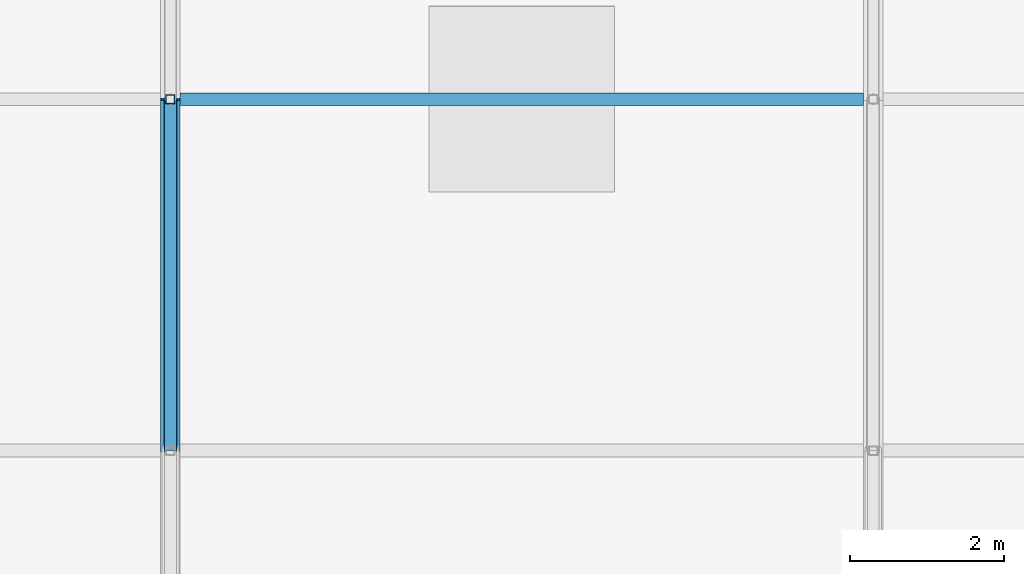
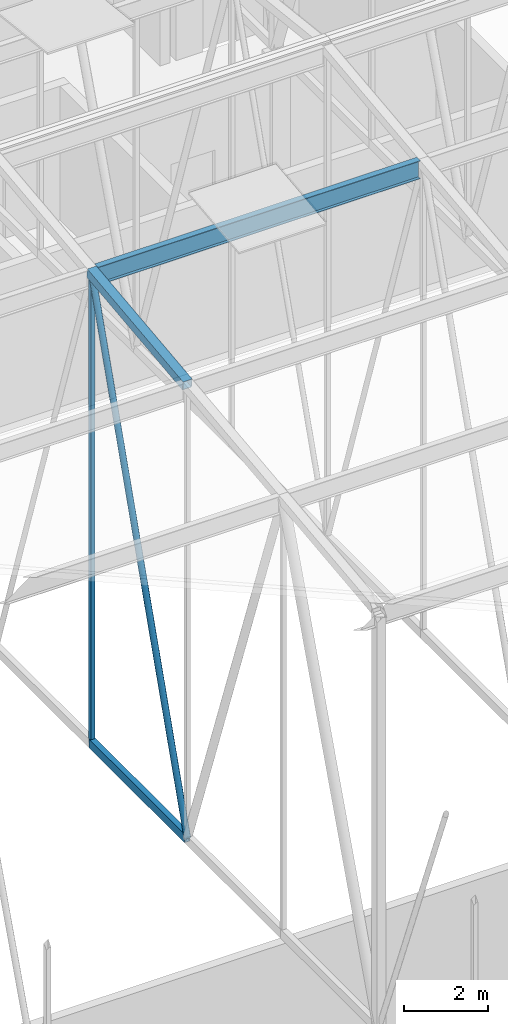
# One storey, part 71 of 500: 5 members.
"""IFC4 building model written with IfcOpenShell, lengths in metres."""

from ifc_helpers import new_model, si_unit, direction, frame, origin, origin_2d, place, context, subcontext, project, spatial, hollow_rectangle, hollow_circle, i_section, extrude, material, material_profile, profile_set, type_object, element, save


model = new_model("IFC4")

# Units and contexts
model_context = context("Model", 3, precision=1e-05, world=origin(), true_north=direction((0.0, 1.0)))
body_context = subcontext(model_context, "Body", "Model", "MODEL_VIEW")
ifc_project = project(units=[si_unit("LENGTHUNIT", "METRE"), si_unit("AREAUNIT", "SQUARE_METRE"), si_unit("VOLUMEUNIT", "CUBIC_METRE"), si_unit("PLANEANGLEUNIT", "RADIAN"), si_unit("MASSUNIT", "GRAM", prefix="KILO")], contexts=[model_context])

# Site, building, storey
site_placement = place(None, origin())
site = spatial("IfcSite", under=ifc_project, at=site_placement, CompositionType="ELEMENT")
building_placement = place(site_placement, origin())
building = spatial("IfcBuilding", under=site, at=building_placement, Name="Shirokan Park Arena", CompositionType="ELEMENT")
storey_placement = place(building_placement, frame((0.0, 0.0, 29.1201171875)))
storey = spatial("IfcBuildingStorey", under=building, at=storey_placement, Name="L06", CompositionType="ELEMENT", Elevation=29.1201171875)

# Members
ifc_material_1 = material(Name="Steel ASTM A500 Grade C", Category="steel")
ifc_material_profile_1 = material_profile(ifc_material_1, hollow_rectangle(XDim=0.152099609375, YDim=0.25390625, WallThickness=0.009521484375, at=origin_2d()), Name="HSS254X152.4X9.5")
ifc_profile_set_1 = profile_set([ifc_material_profile_1], Name="Steel ASTM A500 Grade C")
member_type_1 = type_object("IfcMemberType", Name="Bottom chord HSS254X152.4X9.5", PredefinedType="CHORD", material=ifc_profile_set_1)
member_1_placement = place(storey_placement, frame((18.199951171875, 45.5, 4.677001953125), z_axis=(0.0, 1.0, 0.0), x_axis=(-1.0, 0.0, 0.0)))
element("IfcMember", 1, at=member_1_placement, inside=storey, type_object=member_type_1, Name="Truss T03 bottom chord 13", PredefinedType="CHORD", context=body_context, shape_type="SweptSolid", body=[
    extrude(hollow_rectangle(XDim=0.152099609375, YDim=0.25390625, WallThickness=0.009521484375, at=origin_2d()), origin(), (0.0, 0.0, 1.0), 4.550048828125),
])
ifc_material_2 = material(Name="Steel ASTM A992", Category="steel")
ifc_material_profile_2 = material_profile(ifc_material_2, i_section(OverallWidth=0.166015625, OverallDepth=0.528076171875, WebThickness=0.009765625, FlangeThickness=0.013671875, at=origin_2d()), Name="W530X74")
ifc_profile_set_2 = profile_set([ifc_material_profile_2], Name="Steel ASTM A992")
member_type_2 = type_object("IfcMemberType", Name="Purlin W530X74", PredefinedType="PURLIN", material=ifc_profile_set_2)
member_2_placement = place(storey_placement, frame((18.326904296875, 50.050048828125, 18.205810546875), z_axis=(1.0, 0.0, 0.0), x_axis=(0.0, 1.0, 0.0)))
element("IfcMember", 2, at=member_2_placement, inside=storey, type_object=member_type_2, Name="Purlin 14 bay 3", PredefinedType="PURLIN", context=body_context, shape_type="SweptSolid", body=[
    extrude(i_section(OverallWidth=0.166015625, OverallDepth=0.528076171875, WebThickness=0.009765625, FlangeThickness=0.013671875, at=origin_2d()), origin(), (0.0, 0.0, 1.0), 8.84619140625),
])
ifc_material_profile_3 = material_profile(ifc_material_1, hollow_rectangle(XDim=0.25390625, YDim=0.25390625, WallThickness=0.009521484375, at=origin_2d()), Name="HSS254X254X9.5")
ifc_profile_set_3 = profile_set([ifc_material_profile_3], Name="Steel ASTM A500 Grade C")
member_type_3 = type_object("IfcMemberType", Name="Top chord HSS254X254X9.5", PredefinedType="CHORD", material=ifc_profile_set_3)
member_3_placement = place(storey_placement, frame((18.199951171875, 45.5, 17.822998046875), z_axis=(0.0, 0.993538341779, 0.113496975353), x_axis=(-1.0, 0.0, 0.0)))
element("IfcMember", 3, at=member_3_placement, inside=storey, type_object=member_type_3, Name="Truss T03 top chord 13", PredefinedType="CHORD", context=body_context, shape_type="SweptSolid", body=[
    extrude(hollow_rectangle(XDim=0.25390625, YDim=0.25390625, WallThickness=0.009521484375, at=origin_2d()), origin(), (0.0, 0.0, 1.0), 4.57958984375),
])
ifc_material_profile_4 = material_profile(ifc_material_1, hollow_circle(Radius=0.083984375, WallThickness=0.009521484375, at=origin_2d()), Name="HSS168.3X9.5")
ifc_profile_set_4 = profile_set([ifc_material_profile_4], Name="Steel ASTM A500 Grade C")
member_type_4 = type_object("IfcMemberType", Name="Truss diagonal HSS168.3X9.5", PredefinedType="BRACE", material=ifc_profile_set_4)
member_4_placement = place(storey_placement, frame((18.199951171875, 45.5, 4.677001953125), z_axis=(0.0, 0.315902302102, 0.948791723998), x_axis=(-1.0, 0.0, 0.0)))
element("IfcMember", 4, at=member_4_placement, inside=storey, type_object=member_type_4, Name="Truss T03 diagonal 13", PredefinedType="BRACE", context=body_context, shape_type="SweptSolid", body=[
    extrude(hollow_circle(Radius=0.083984375, WallThickness=0.009521484375, at=origin_2d()), origin(), (0.0, 0.0, 1.0), 14.4033203125),
])
ifc_material_profile_5 = material_profile(ifc_material_1, hollow_rectangle(XDim=0.114013671875, YDim=0.114013671875, WallThickness=0.00634765625, at=origin_2d()), Name="HSS114.3X114.3X6.4")
ifc_profile_set_5 = profile_set([ifc_material_profile_5], Name="Steel ASTM A500 Grade C")
member_type_5 = type_object("IfcMemberType", Name="Truss post HSS114.3X114.3X6.4", PredefinedType="POST", material=ifc_profile_set_5)
member_5_placement = place(storey_placement, frame((18.199951171875, 50.050048828125, 4.677001953125), z_axis=(0.0, 0.0, 1.0), x_axis=(1.0, 0.0, 0.0)))
element("IfcMember", 5, at=member_5_placement, inside=storey, type_object=member_type_5, Name="Truss T03 post 14", PredefinedType="POST", context=body_context, shape_type="SweptSolid", body=[
    extrude(hollow_rectangle(XDim=0.114013671875, YDim=0.114013671875, WallThickness=0.00634765625, at=origin_2d()), origin(), (0.0, 0.0, 1.0), 13.665771484375),
])

save(model, "model.ifc")
